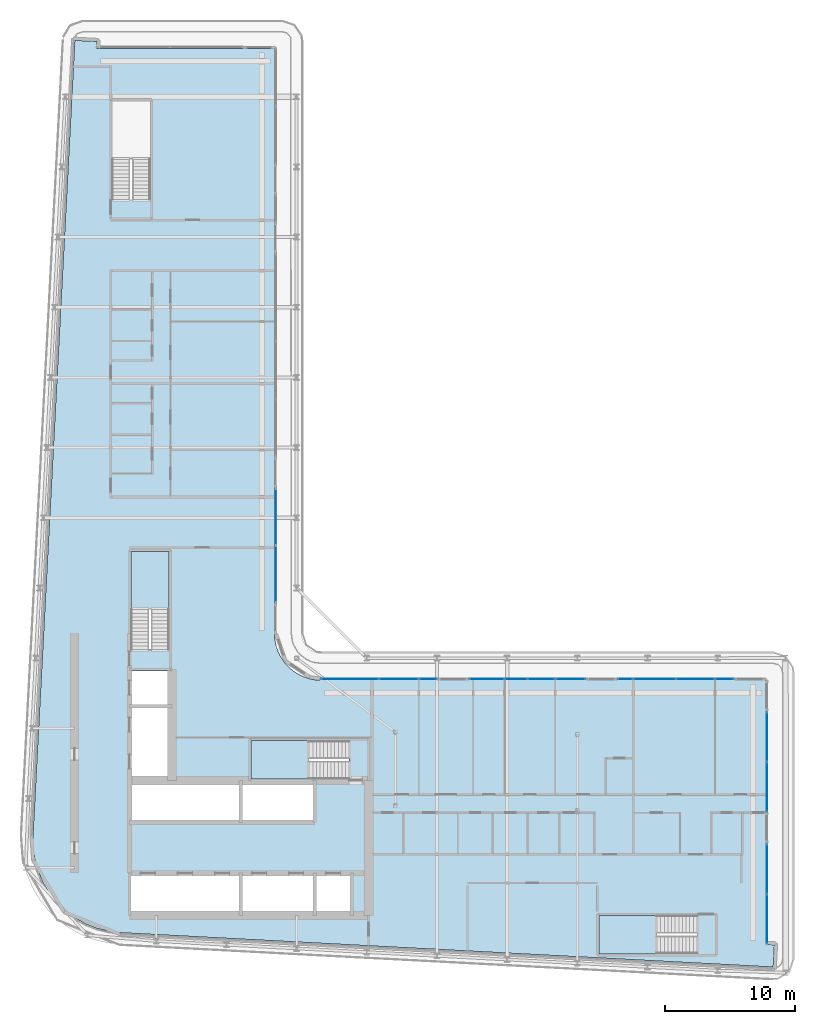
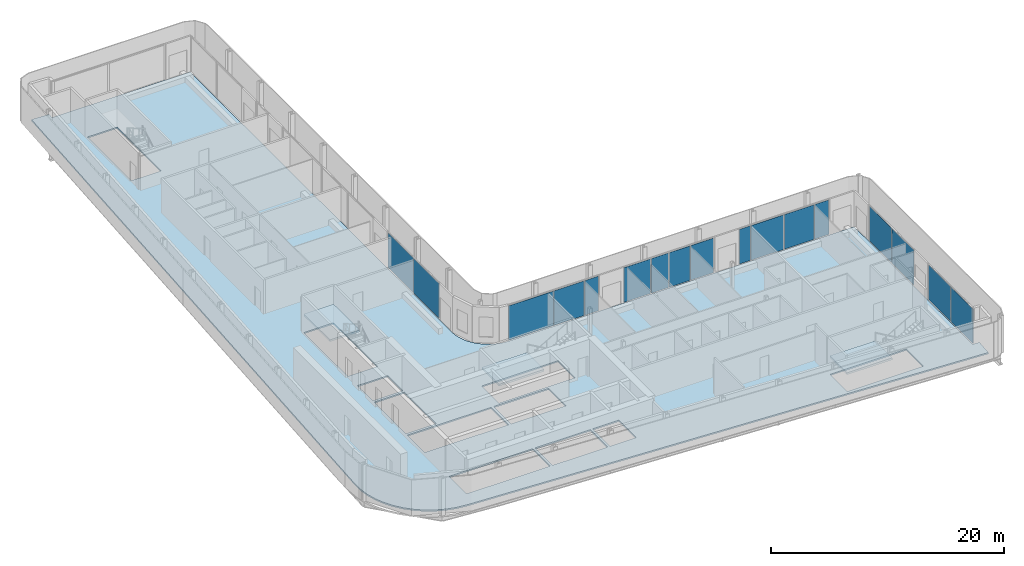
# One storey, part 8 of 21: 17 plates, 4 slabs, 9 elements without a shape of their own.
"""IFC4 building model written with IfcOpenShell, lengths in metres."""

from ifc_helpers import new_model, si_unit, direction, frame, origin, origin_2d, place, context, subcontext, project, spatial, polyline, rectangle, outline, extrude, material, layer, layer_set, type_object, element, aggregate, save


model = new_model("IFC4")

# Units and contexts
model_context = context("Model", 3, precision=1e-05, world=origin(), true_north=direction((0.0, 1.0)))
body_context = subcontext(model_context, "Body", "Model", "MODEL_VIEW")
ifc_project = project(units=[si_unit("LENGTHUNIT", "METRE"), si_unit("AREAUNIT", "SQUARE_METRE"), si_unit("VOLUMEUNIT", "CUBIC_METRE"), si_unit("PLANEANGLEUNIT", "RADIAN"), si_unit("MASSUNIT", "GRAM", prefix="KILO")], contexts=[model_context])

# Site, building, storey
site_placement = place(None, origin())
site = spatial("IfcSite", under=ifc_project, at=site_placement, CompositionType="ELEMENT")
building_placement = place(site_placement, origin())
building = spatial("IfcBuilding", under=site, at=building_placement, Name="Kheshtan School and Residences Tower", CompositionType="ELEMENT")
storey_placement = place(building_placement, frame((0.0, 0.0, 227.89990234375)))
storey = spatial("IfcBuildingStorey", under=building, at=storey_placement, Name="L53", CompositionType="ELEMENT", Elevation=227.89990234375)

# Curtain wall, plates
ifc_material_1 = material(Name="Clear low-e glass in thermally broken aluminium frame", Category="aluminium")
ifc_layer_1 = layer(ifc_material_1, 0.199951171875)
ifc_layer_set_1 = layer_set([ifc_layer_1], Name="Curtain wall CW-L")
curtain_wall_type = type_object("IfcCurtainWallType", Name="Curtain wall CW-L", PredefinedType="NOTDEFINED", material=ifc_layer_set_1)
curtain_wall_1_placement = place(storey_placement, origin())
curtain_wall_1 = element("IfcCurtainWall", 1, at=curtain_wall_1_placement, inside=storey, type_object=curtain_wall_type, Name="Curtain wall CWL4b", PredefinedType="NOTDEFINED")
ifc_layer_2 = layer(ifc_material_1, 0.031982421875)
ifc_layer_set_2 = layer_set([ifc_layer_2], Name="CW-L glass panel")
plate_type = type_object("IfcPlateType", Name="CW-L glass panel", PredefinedType="CURTAIN_PANEL", material=ifc_layer_set_2)
plate_1_placement = place(storey_placement, frame((46.0, 56.465576171875, 0.000244140625), z_axis=(0.0, 0.0, 1.0), x_axis=(0.0, -1.0, 0.0)))
plate_1 = element("IfcPlate", 2, at=plate_1_placement, type_object=plate_type, Name="CWL4b panel 1.1", PredefinedType="CURTAIN_PANEL", context=body_context, shape_type="SweptSolid", body=[
    extrude(rectangle(XDim=4.34375, YDim=0.031982421875, at=origin_2d()), origin(), (0.0, 0.0, 1.0), 3.6298828125),
])
plate_2_placement = place(storey_placement, frame((46.0, 52.061767578125, 0.000244140625), z_axis=(0.0, 0.0, 1.0), x_axis=(0.0, -1.0, 0.0)))
plate_2 = element("IfcPlate", 3, at=plate_2_placement, type_object=plate_type, Name="CWL4b panel 2.1", PredefinedType="CURTAIN_PANEL", context=body_context, shape_type="SweptSolid", body=[
    extrude(rectangle(XDim=4.34375, YDim=0.031982421875, at=origin_2d()), origin(), (0.0, 0.0, 1.0), 3.6298828125),
])
aggregate(curtain_wall_1, [plate_1, plate_2])

curtain_wall_2_placement = place(storey_placement, origin())
curtain_wall_2 = element("IfcCurtainWall", 4, at=curtain_wall_2_placement, inside=storey, type_object=curtain_wall_type, Name="Curtain wall CWL8o", PredefinedType="NOTDEFINED")
plate_3_placement = place(storey_placement, frame((51.700927734375, 44.0, 0.000244140625), z_axis=(0.0, 0.0, 1.0), x_axis=(1.0, 0.0, 0.0)))
plate_3 = element("IfcPlate", 5, at=plate_3_placement, type_object=plate_type, Name="CWL8o panel 1.1", PredefinedType="CURTAIN_PANEL", context=body_context, shape_type="SweptSolid", body=[
    extrude(rectangle(XDim=4.421630859375, YDim=0.031982421875, at=origin_2d()), origin(), (0.0, 0.0, 1.0), 3.6298828125),
])
plate_4_placement = place(storey_placement, frame((55.470947265625, 44.0, 0.000244140625), z_axis=(0.0, 0.0, 1.0), x_axis=(1.0, 0.0, 0.0)))
plate_4 = element("IfcPlate", 6, at=plate_4_placement, type_object=plate_type, Name="CWL8o panel 2.1", PredefinedType="CURTAIN_PANEL", context=body_context, shape_type="SweptSolid", body=[
    extrude(rectangle(XDim=2.998291015625, YDim=0.031982421875, at=origin_2d()), origin(), (0.0, 0.0, 1.0), 3.6298828125),
])
plate_5_placement = place(storey_placement, frame((57.711669921875, 44.0, 0.000244140625), z_axis=(0.0, 0.0, 1.0), x_axis=(1.0, 0.0, 0.0)))
plate_5 = element("IfcPlate", 7, at=plate_5_placement, type_object=plate_type, Name="CWL8o panel 3.1", PredefinedType="CURTAIN_PANEL", context=body_context, shape_type="SweptSolid", body=[
    extrude(rectangle(XDim=1.36328125, YDim=0.031982421875, at=origin_2d()), origin(), (0.0, 0.0, 1.0), 3.6298828125),
])
aggregate(curtain_wall_2, [plate_3, plate_4, plate_5])

curtain_wall_3_placement = place(storey_placement, origin())
curtain_wall_3 = element("IfcCurtainWall", 8, at=curtain_wall_3_placement, inside=storey, type_object=curtain_wall_type, Name="Curtain wall CWL8p", PredefinedType="NOTDEFINED")
plate_6_placement = place(storey_placement, frame((62.24169921875, 44.0, 0.000244140625), z_axis=(0.0, 0.0, 1.0), x_axis=(1.0, 0.0, 0.0)))
plate_6 = element("IfcPlate", 9, at=plate_6_placement, type_object=plate_type, Name="CWL8p panel 1.1", PredefinedType="CURTAIN_PANEL", context=body_context, shape_type="SweptSolid", body=[
    extrude(rectangle(XDim=2.65673828125, YDim=0.031982421875, at=origin_2d()), origin(), (0.0, 0.0, 1.0), 3.6298828125),
])
plate_7_placement = place(storey_placement, frame((64.482421875, 44.0, 0.000244140625), z_axis=(0.0, 0.0, 1.0), x_axis=(1.0, 0.0, 0.0)))
plate_7 = element("IfcPlate", 10, at=plate_7_placement, type_object=plate_type, Name="CWL8p panel 2.1", PredefinedType="CURTAIN_PANEL", context=body_context, shape_type="SweptSolid", body=[
    extrude(rectangle(XDim=1.705078125, YDim=0.031982421875, at=origin_2d()), origin(), (0.0, 0.0, 1.0), 3.6298828125),
])
plate_8_placement = place(storey_placement, frame((66.4326171875, 44.0, 0.000244140625), z_axis=(0.0, 0.0, 1.0), x_axis=(1.0, 0.0, 0.0)))
plate_8 = element("IfcPlate", 11, at=plate_8_placement, type_object=plate_type, Name="CWL8p panel 3.1", PredefinedType="CURTAIN_PANEL", context=body_context, shape_type="SweptSolid", body=[
    extrude(rectangle(XDim=2.074951171875, YDim=0.031982421875, at=origin_2d()), origin(), (0.0, 0.0, 1.0), 3.6298828125),
])
plate_9_placement = place(storey_placement, frame((68.67333984375, 44.0, 0.000244140625), z_axis=(0.0, 0.0, 1.0), x_axis=(1.0, 0.0, 0.0)))
plate_9 = element("IfcPlate", 12, at=plate_9_placement, type_object=plate_type, Name="CWL8p panel 4.1", PredefinedType="CURTAIN_PANEL", context=body_context, shape_type="SweptSolid", body=[
    extrude(rectangle(XDim=2.28662109375, YDim=0.031982421875, at=origin_2d()), origin(), (0.0, 0.0, 1.0), 3.6298828125),
])
aggregate(curtain_wall_3, [plate_6, plate_7, plate_8, plate_9])

curtain_wall_4_placement = place(storey_placement, origin())
curtain_wall_4 = element("IfcCurtainWall", 13, at=curtain_wall_4_placement, inside=storey, type_object=curtain_wall_type, Name="Curtain wall CWL8p", PredefinedType="NOTDEFINED")
plate_10_placement = place(storey_placement, frame((72.9033203125, 44.0, 0.000244140625), z_axis=(0.0, 0.0, 1.0), x_axis=(1.0, 0.0, 0.0)))
plate_10 = element("IfcPlate", 14, at=plate_10_placement, type_object=plate_type, Name="CWL8p panel 1.1", PredefinedType="CURTAIN_PANEL", context=body_context, shape_type="SweptSolid", body=[
    extrude(rectangle(XDim=1.13330078125, YDim=0.031982421875, at=origin_2d()), origin(), (0.0, 0.0, 1.0), 3.6298828125),
])
plate_11_placement = place(storey_placement, frame((75.14404296875, 44.0, 0.000244140625), z_axis=(0.0, 0.0, 1.0), x_axis=(1.0, 0.0, 0.0)))
plate_11 = element("IfcPlate", 15, at=plate_11_placement, type_object=plate_type, Name="CWL8p panel 2.1", PredefinedType="CURTAIN_PANEL", context=body_context, shape_type="SweptSolid", body=[
    extrude(rectangle(XDim=3.228271484375, YDim=0.031982421875, at=origin_2d()), origin(), (0.0, 0.0, 1.0), 3.6298828125),
])
plate_12_placement = place(storey_placement, frame((78.294189453125, 44.0, 0.000244140625), z_axis=(0.0, 0.0, 1.0), x_axis=(1.0, 0.0, 0.0)))
plate_12 = element("IfcPlate", 16, at=plate_12_placement, type_object=plate_type, Name="CWL8p panel 3.1", PredefinedType="CURTAIN_PANEL", context=body_context, shape_type="SweptSolid", body=[
    extrude(rectangle(XDim=2.95166015625, YDim=0.031982421875, at=origin_2d()), origin(), (0.0, 0.0, 1.0), 3.6298828125),
])
plate_13_placement = place(storey_placement, frame((80.534912109375, 44.0, 0.000244140625), z_axis=(0.0, 0.0, 1.0), x_axis=(1.0, 0.0, 0.0)))
plate_13 = element("IfcPlate", 17, at=plate_13_placement, type_object=plate_type, Name="CWL8p panel 4.1", PredefinedType="CURTAIN_PANEL", context=body_context, shape_type="SweptSolid", body=[
    extrude(rectangle(XDim=1.409912109375, YDim=0.031982421875, at=origin_2d()), origin(), (0.0, 0.0, 1.0), 3.6298828125),
])
aggregate(curtain_wall_4, [plate_10, plate_11, plate_12, plate_13])

curtain_wall_5_placement = place(storey_placement, origin())
curtain_wall_5 = element("IfcCurtainWall", 18, at=curtain_wall_5_placement, inside=storey, type_object=curtain_wall_type, Name="Curtain wall CWL9a", PredefinedType="NOTDEFINED")
plate_14_placement = place(storey_placement, frame((83.800048828125, 39.54345703125, 0.000244140625), z_axis=(0.0, 0.0, 1.0), x_axis=(0.0, -1.0, 0.0)))
plate_14 = element("IfcPlate", 19, at=plate_14_placement, type_object=plate_type, Name="CWL9a panel 1.1", PredefinedType="CURTAIN_PANEL", context=body_context, shape_type="SweptSolid", body=[
    extrude(rectangle(XDim=3.793212890625, YDim=0.031982421875, at=origin_2d()), origin(), (0.0, 0.0, 1.0), 3.6298828125),
])
plate_15_placement = place(storey_placement, frame((83.800048828125, 35.690185546875, 0.000244140625), z_axis=(0.0, 0.0, 1.0), x_axis=(0.0, -1.0, 0.0)))
plate_15 = element("IfcPlate", 20, at=plate_15_placement, type_object=plate_type, Name="CWL9a panel 2.1", PredefinedType="CURTAIN_PANEL", context=body_context, shape_type="SweptSolid", body=[
    extrude(rectangle(XDim=3.793212890625, YDim=0.031982421875, at=origin_2d()), origin(), (0.0, 0.0, 1.0), 3.6298828125),
])
aggregate(curtain_wall_5, [plate_14, plate_15])

curtain_wall_6_placement = place(storey_placement, origin())
curtain_wall_6 = element("IfcCurtainWall", 21, at=curtain_wall_6_placement, inside=storey, type_object=curtain_wall_type, Name="Curtain wall CWL9a", PredefinedType="NOTDEFINED")
plate_16_placement = place(storey_placement, frame((83.800048828125, 29.376953125, 0.000244140625), z_axis=(0.0, 0.0, 1.0), x_axis=(0.0, -1.0, 0.0)))
plate_16 = element("IfcPlate", 22, at=plate_16_placement, type_object=plate_type, Name="CWL9a panel 1.1", PredefinedType="CURTAIN_PANEL", context=body_context, shape_type="SweptSolid", body=[
    extrude(rectangle(XDim=3.793212890625, YDim=0.031982421875, at=origin_2d()), origin(), (0.0, 0.0, 1.0), 3.6298828125),
])
plate_17_placement = place(storey_placement, frame((83.800048828125, 25.523681640625, 0.000244140625), z_axis=(0.0, 0.0, 1.0), x_axis=(0.0, -1.0, 0.0)))
plate_17 = element("IfcPlate", 23, at=plate_17_placement, type_object=plate_type, Name="CWL9a panel 2.1", PredefinedType="CURTAIN_PANEL", context=body_context, shape_type="SweptSolid", body=[
    extrude(rectangle(XDim=3.793212890625, YDim=0.031982421875, at=origin_2d()), origin(), (0.0, 0.0, 1.0), 3.6298828125),
])
aggregate(curtain_wall_6, [plate_16, plate_17])

# Slab
ifc_material_2 = material(Name="Concrete C40/50", Category="concrete")
ifc_layer_3 = layer(ifc_material_2, 0.14990234375)
ifc_layer_set_3 = layer_set([ifc_layer_3], Name="Floor slab 150 Concrete C40/50")
slab_type_1 = type_object("IfcSlabType", Name="Floor slab 150 Concrete C40/50", PredefinedType="FLOOR", material=ifc_layer_set_3)
slab_1_placement = place(storey_placement, frame((0.0, 0.0, -0.14990234375)))
element("IfcSlab", 24, at=slab_1_placement, inside=storey, type_object=slab_type_1, Name="Floor slab L53", PredefinedType="FLOOR", context=body_context, shape_type="SweptSolid", body=[
    extrude(outline(polyline([(28.0849609375, 28.345947265625), (27.718017578125, 29.200927734375), (27.466064453125, 30.093017578125), (27.466064453125, 30.093994140625), (27.3330078125, 31.013916015625), (27.320068359375, 31.965087890625), (27.320068359375, 31.970947265625), (30.5380859375, 93.10107421875), (30.5390625, 93.10791015625), (30.5419921875, 93.131103515625), (30.5419921875, 93.132080078125), (30.54296875, 93.132080078125), (31.137939453125, 93.10009765625), (31.138916015625, 93.10009765625), (31.138916015625, 93.09912109375), (31.138916015625, 93.094970703125), (31.138916015625, 93.093994140625), (31.139892578125, 93.093994140625), (31.139892578125, 93.093017578125), (31.14111328125, 93.093017578125), (31.14208984375, 93.093017578125), (31.14208984375, 93.093994140625), (31.14404296875, 93.095947265625), (31.14501953125, 93.096923828125), (31.14599609375, 93.097900390625), (31.14697265625, 93.097900390625), (31.14697265625, 93.09912109375), (31.14794921875, 93.09912109375), (31.14794921875, 93.10009765625), (31.14892578125, 93.10009765625), (31.152099609375, 93.10205078125), (31.155029296875, 93.10205078125), (31.156005859375, 93.10205078125), (31.156005859375, 93.10302734375), (31.156982421875, 93.10302734375), (31.162109375, 93.10302734375), (32.217041015625, 93.047119140625), (32.219970703125, 93.047119140625), (32.220947265625, 93.047119140625), (32.220947265625, 93.0458984375), (32.221923828125, 93.0458984375), (32.22607421875, 93.0458984375), (32.22607421875, 93.044921875), (32.22705078125, 93.044921875), (32.22705078125, 93.0439453125), (32.22802734375, 93.0439453125), (32.22802734375, 93.04296875), (32.22900390625, 93.04296875), (32.22998046875, 93.04296875), (32.22998046875, 93.0419921875), (32.23095703125, 93.0419921875), (32.23193359375, 93.0419921875), (32.23193359375, 93.041015625), (32.23388671875, 93.0390625), (32.235107421875, 93.0390625), (32.235107421875, 93.0380859375), (32.235107421875, 93.037109375), (32.236083984375, 93.037109375), (32.236083984375, 93.035888671875), (32.237060546875, 93.035888671875), (32.237060546875, 93.033935546875), (32.237060546875, 93.032958984375), (32.238037109375, 93.032958984375), (32.238037109375, 93.031982421875), (32.239013671875, 93.031982421875), (32.239013671875, 93.031005859375), (32.239013671875, 93.029052734375), (32.239013671875, 93.028076171875), (32.239990234375, 93.028076171875), (32.239990234375, 93.027099609375), (32.239990234375, 93.02197265625), (32.212890625, 92.52099609375), (32.212890625, 92.51806640625), (32.212890625, 92.51708984375), (32.2119140625, 92.51708984375), (32.2119140625, 92.51611328125), (32.2119140625, 92.511962890625), (32.2109375, 92.510009765625), (32.2099609375, 92.510009765625), (32.2099609375, 92.509033203125), (32.208984375, 92.509033203125), (32.208984375, 92.508056640625), (32.2080078125, 92.507080078125), (32.2060546875, 92.5048828125), (32.205078125, 92.50390625), (32.2041015625, 92.50390625), (32.2041015625, 92.5029296875), (32.2041015625, 92.501953125), (32.2041015625, 92.5009765625), (32.205078125, 92.5009765625), (32.205078125, 92.5), (32.2060546875, 92.5), (45.85498046875, 92.5), (45.860107421875, 92.4990234375), (45.864990234375, 92.498046875), (45.865966796875, 92.498046875), (45.868896484375, 92.49609375), (45.8740234375, 92.493896484375), (45.8779296875, 92.491943359375), (45.881103515625, 92.489990234375), (45.881103515625, 92.489013671875), (45.882080078125, 92.489013671875), (45.882080078125, 92.488037109375), (45.883056640625, 92.488037109375), (45.884033203125, 92.485107421875), (45.885009765625, 92.485107421875), (45.885009765625, 92.48388671875), (45.887939453125, 92.48291015625), (45.887939453125, 92.48193359375), (45.888916015625, 92.48193359375), (45.888916015625, 92.48095703125), (45.889892578125, 92.48095703125), (45.89208984375, 92.47802734375), (45.89404296875, 92.47412109375), (45.89599609375, 92.468994140625), (45.89794921875, 92.466064453125), (45.89794921875, 92.465087890625), (45.89892578125, 92.4599609375), (45.89990234375, 92.455078125), (45.89990234375, 47.429931640625), (45.927001953125, 47.030029296875), (46.01806640625, 46.570068359375), (46.01806640625, 46.569091796875), (46.169921875, 46.1201171875), (46.37890625, 45.697021484375), (46.638916015625, 45.30810546875), (46.949951171875, 44.950927734375), (46.950927734375, 44.949951171875), (47.30810546875, 44.638916015625), (47.697021484375, 44.37890625), (48.1201171875, 44.169921875), (48.569091796875, 44.01806640625), (48.570068359375, 44.01806640625), (49.030029296875, 43.927001953125), (49.429931640625, 43.89990234375), (83.655029296875, 43.89990234375), (83.659912109375, 43.89892578125), (83.6650390625, 43.89794921875), (83.666015625, 43.89794921875), (83.6689453125, 43.89599609375), (83.674072265625, 43.89404296875), (83.677978515625, 43.89208984375), (83.680908203125, 43.889892578125), (83.680908203125, 43.888916015625), (83.681884765625, 43.888916015625), (83.681884765625, 43.887939453125), (83.68310546875, 43.887939453125), (83.68408203125, 43.885009765625), (83.68505859375, 43.885009765625), (83.68505859375, 43.884033203125), (83.68798828125, 43.883056640625), (83.68798828125, 43.882080078125), (83.68896484375, 43.882080078125), (83.68896484375, 43.881103515625), (83.68994140625, 43.881103515625), (83.69189453125, 43.8779296875), (83.694091796875, 43.8740234375), (83.696044921875, 43.868896484375), (83.697998046875, 43.865966796875), (83.697998046875, 43.864990234375), (83.699951171875, 43.85498046875), (83.699951171875, 23.56201171875), (83.699951171875, 23.56103515625), (83.700927734375, 23.56103515625), (83.700927734375, 23.56005859375), (83.701904296875, 23.56005859375), (83.702880859375, 23.56005859375), (83.702880859375, 23.56103515625), (83.705078125, 23.56298828125), (83.7060546875, 23.56396484375), (83.70703125, 23.56494140625), (83.7080078125, 23.56494140625), (83.7080078125, 23.56591796875), (83.708984375, 23.56591796875), (83.708984375, 23.56689453125), (83.7099609375, 23.56689453125), (83.712890625, 23.569091796875), (83.716064453125, 23.569091796875), (83.717041015625, 23.569091796875), (83.717041015625, 23.570068359375), (83.718017578125, 23.570068359375), (83.722900390625, 23.570068359375), (84.337890625, 23.537109375), (84.341064453125, 23.537109375), (84.342041015625, 23.537109375), (84.342041015625, 23.535888671875), (84.343017578125, 23.535888671875), (84.346923828125, 23.535888671875), (84.346923828125, 23.534912109375), (84.347900390625, 23.534912109375), (84.347900390625, 23.533935546875), (84.34912109375, 23.533935546875), (84.34912109375, 23.532958984375), (84.35009765625, 23.532958984375), (84.35107421875, 23.532958984375), (84.35107421875, 23.531982421875), (84.35205078125, 23.531982421875), (84.35302734375, 23.531982421875), (84.35302734375, 23.531005859375), (84.35498046875, 23.529052734375), (84.35595703125, 23.529052734375), (84.35595703125, 23.528076171875), (84.35595703125, 23.527099609375), (84.35693359375, 23.527099609375), (84.35693359375, 23.52587890625), (84.35791015625, 23.52587890625), (84.35791015625, 23.52490234375), (84.35791015625, 23.52392578125), (84.35791015625, 23.52294921875), (84.35888671875, 23.52294921875), (84.35888671875, 23.52197265625), (84.360107421875, 23.52197265625), (84.360107421875, 23.52099609375), (84.360107421875, 23.51904296875), (84.360107421875, 23.51806640625), (84.361083984375, 23.51806640625), (84.361083984375, 23.51708984375), (84.361083984375, 23.511962890625), (84.304931640625, 22.455078125), (84.304931640625, 22.451904296875), (84.304931640625, 22.450927734375), (84.303955078125, 22.450927734375), (84.303955078125, 22.449951171875), (84.303955078125, 22.446044921875), (84.302978515625, 22.445068359375), (84.302978515625, 22.444091796875), (84.302001953125, 22.444091796875), (84.302001953125, 22.443115234375), (84.301025390625, 22.443115234375), (84.301025390625, 22.44189453125), (84.300048828125, 22.44091796875), (84.298095703125, 22.43896484375), (84.297119140625, 22.43798828125), (84.2958984375, 22.43798828125), (84.2958984375, 22.43701171875), (84.2958984375, 22.43603515625), (84.2958984375, 22.43505859375), (84.297119140625, 22.43505859375), (84.297119140625, 22.43408203125), (84.298095703125, 22.43408203125), (84.299072265625, 22.43408203125), (84.300048828125, 22.43408203125), (84.300048828125, 22.43310546875), (84.26806640625, 21.837890625), (84.26806640625, 21.8369140625), (84.26708984375, 21.8369140625), (84.242919921875, 21.8359375), (84.238037109375, 21.8359375), (34.056884765625, 24.47802734375), (33.114990234375, 24.590087890625), (32.215087890625, 24.819091796875), (32.214111328125, 24.819091796875), (31.35205078125, 25.1630859375), (30.541015625, 25.616943359375), (29.799072265625, 26.1708984375), (29.799072265625, 26.172119140625), (29.798095703125, 26.172119140625), (29.134033203125, 26.820068359375), (29.134033203125, 26.821044921875), (29.133056640625, 26.821044921875), (28.55908203125, 27.550048828125), (28.0849609375, 28.345947265625)]), holes=[polyline([(83.699951171875, 22.44091796875), (83.699951171875, 22.43994140625), (83.699951171875, 22.43603515625), (83.699951171875, 22.43505859375), (83.700927734375, 22.43505859375), (83.700927734375, 22.43408203125), (83.701904296875, 22.43408203125), (83.7060546875, 22.43408203125), (83.70703125, 22.43408203125), (83.70703125, 22.43505859375), (83.7080078125, 22.43505859375), (83.7080078125, 22.43603515625), (83.7080078125, 22.43701171875), (83.70703125, 22.43701171875), (83.7060546875, 22.43798828125), (83.7041015625, 22.43994140625), (83.702880859375, 22.44091796875), (83.702880859375, 22.44189453125), (83.701904296875, 22.44189453125), (83.700927734375, 22.44189453125), (83.700927734375, 22.44091796875), (83.699951171875, 22.44091796875)]), polyline([(31.138916015625, 92.507080078125), (31.138916015625, 92.506103515625), (31.138916015625, 92.501953125), (31.138916015625, 92.5009765625), (31.139892578125, 92.5009765625), (31.139892578125, 92.5), (31.14111328125, 92.5), (31.14501953125, 92.5), (31.14599609375, 92.5), (31.14599609375, 92.5009765625), (31.14697265625, 92.5009765625), (31.14697265625, 92.501953125), (31.14697265625, 92.5029296875), (31.14599609375, 92.5029296875), (31.14501953125, 92.50390625), (31.14404296875, 92.5048828125), (31.14306640625, 92.506103515625), (31.14208984375, 92.507080078125), (31.14208984375, 92.508056640625), (31.14111328125, 92.508056640625), (31.139892578125, 92.508056640625), (31.139892578125, 92.507080078125), (31.138916015625, 92.507080078125)]), polyline([(43.175048828125, 28.925048828125), (34.875, 28.925048828125), (34.875, 25.925048828125), (43.175048828125, 25.925048828125), (43.175048828125, 28.925048828125)]), polyline([(43.175048828125, 36.074951171875), (34.875, 36.074951171875), (34.875, 33.074951171875), (43.175048828125, 33.074951171875), (43.175048828125, 36.074951171875)]), polyline([(34.875, 41.77490234375), (34.875, 36.324951171875), (37.875, 36.324951171875), (37.875, 41.77490234375), (34.875, 41.77490234375)]), polyline([(37.875, 44.625), (34.875, 44.625), (34.875, 42.02490234375), (37.875, 42.02490234375), (37.875, 44.625)]), polyline([(36.25, 46.25), (37.800048828125, 46.25), (37.800048828125, 53.81005859375), (34.85009765625, 53.81005859375), (34.85009765625, 46.260009765625), (36.25, 46.260009765625), (36.25, 46.25)]), polyline([(33.39990234375, 88.4599609375), (33.39990234375, 80.909912109375), (34.800048828125, 80.909912109375), (34.800048828125, 80.89990234375), (36.35009765625, 80.89990234375), (36.35009765625, 88.4599609375), (33.39990234375, 88.4599609375)]), polyline([(70.85009765625, 25.800048828125), (70.85009765625, 22.85009765625), (78.39990234375, 22.85009765625), (78.39990234375, 24.25), (78.409912109375, 24.25), (78.409912109375, 25.800048828125), (70.85009765625, 25.800048828125)]), polyline([(43.425048828125, 28.925048828125), (43.425048828125, 25.925048828125), (48.875, 25.925048828125), (48.875, 28.925048828125), (43.425048828125, 28.925048828125)]), polyline([(49.125, 28.925048828125), (49.125, 25.925048828125), (51.72509765625, 25.925048828125), (51.72509765625, 28.925048828125), (49.125, 28.925048828125)]), polyline([(43.425048828125, 36.074951171875), (43.425048828125, 33.074951171875), (48.875, 33.074951171875), (48.875, 36.074951171875), (43.425048828125, 36.074951171875)]), polyline([(51.64990234375, 37.699951171875), (51.64990234375, 39.25), (44.090087890625, 39.25), (44.090087890625, 36.300048828125), (51.639892578125, 36.300048828125), (51.639892578125, 37.699951171875), (51.64990234375, 37.699951171875)])]), origin(), (0.0, 0.0, 1.0), 0.14990234375),
])

# Stair, slab
stair_type = type_object("IfcStairType", Name="Exit stair, half-turn", PredefinedType="HALF_TURN_STAIR", material=ifc_material_2)
stair_1_placement = place(storey_placement, origin())
stair_1 = element("IfcStair", 25, at=stair_1_placement, inside=storey, type_object=stair_type, Name="L53 Protected Exit Stair ST1", PredefinedType="HALF_TURN_STAIR")
ifc_layer_4 = layer(ifc_material_2, 0.199951171875)
ifc_layer_set_4 = layer_set([ifc_layer_4], Name="Stair landing 200 Concrete C40/50")
slab_type_2 = type_object("IfcSlabType", Name="Stair landing 200 Concrete C40/50", PredefinedType="LANDING", material=ifc_layer_set_4)
slab_2_placement = place(storey_placement, frame((0.0, 0.0, 1.75)))
slab_2 = element("IfcSlab", 26, at=slab_2_placement, type_object=slab_type_2, Name="ST1 landing 1", PredefinedType="LANDING", context=body_context, shape_type="SweptSolid", body=[
    extrude(outline(polyline([(48.570068359375, 39.25), (44.090087890625, 39.25), (44.090087890625, 36.300048828125), (48.570068359375, 36.300048828125), (48.570068359375, 39.25)])), origin(), (0.0, 0.0, 1.0), 0.2001953125),
])
aggregate(stair_1, [slab_2])

stair_2_placement = place(storey_placement, origin())
stair_2 = element("IfcStair", 27, at=stair_2_placement, inside=storey, type_object=stair_type, Name="L53 Protected Exit Stair ST2", PredefinedType="HALF_TURN_STAIR")
slab_3_placement = place(storey_placement, frame((0.0, 0.0, 1.75)))
slab_3 = element("IfcSlab", 28, at=slab_3_placement, type_object=slab_type_2, Name="ST2 landing 1", PredefinedType="LANDING", context=body_context, shape_type="SweptSolid", body=[
    extrude(outline(polyline([(37.800048828125, 49.330078125), (37.800048828125, 53.81005859375), (34.85009765625, 53.81005859375), (34.85009765625, 49.330078125), (37.800048828125, 49.330078125)])), origin(), (0.0, 0.0, 1.0), 0.2001953125),
])
aggregate(stair_2, [slab_3])

stair_3_placement = place(storey_placement, origin())
stair_3 = element("IfcStair", 29, at=stair_3_placement, inside=storey, type_object=stair_type, Name="L53 Protected Exit Stair ST5", PredefinedType="HALF_TURN_STAIR")
slab_4_placement = place(storey_placement, frame((0.0, 0.0, 1.75)))
slab_4 = element("IfcSlab", 30, at=slab_4_placement, type_object=slab_type_2, Name="ST5 landing 1", PredefinedType="LANDING", context=body_context, shape_type="SweptSolid", body=[
    extrude(outline(polyline([(75.330078125, 25.800048828125), (70.85009765625, 25.800048828125), (70.85009765625, 22.85009765625), (75.330078125, 22.85009765625), (75.330078125, 25.800048828125)])), origin(), (0.0, 0.0, 1.0), 0.2001953125),
])
aggregate(stair_3, [slab_4])

save(model, "model.ifc")
